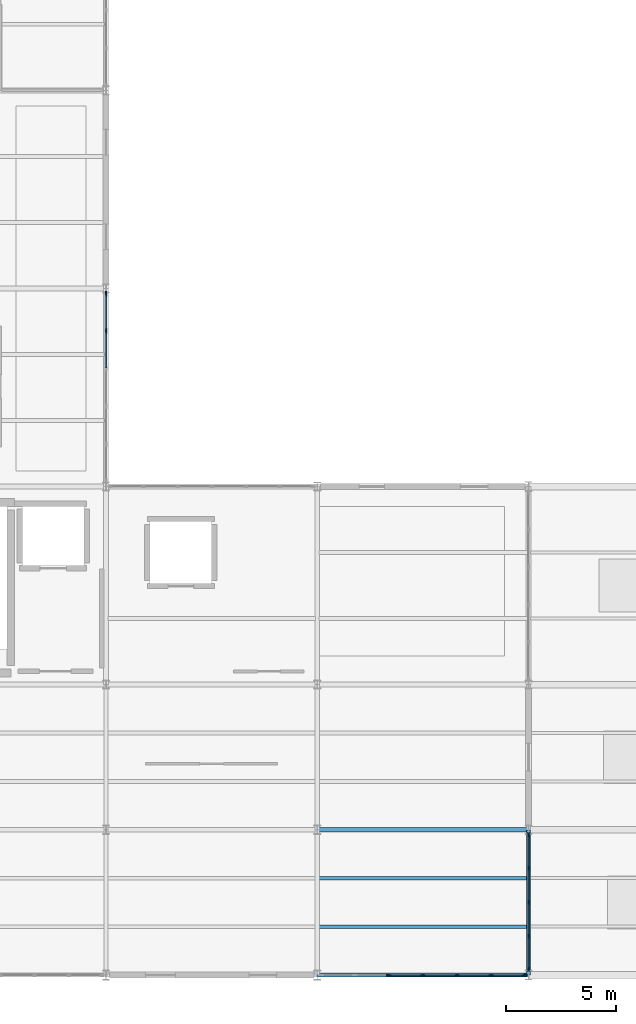
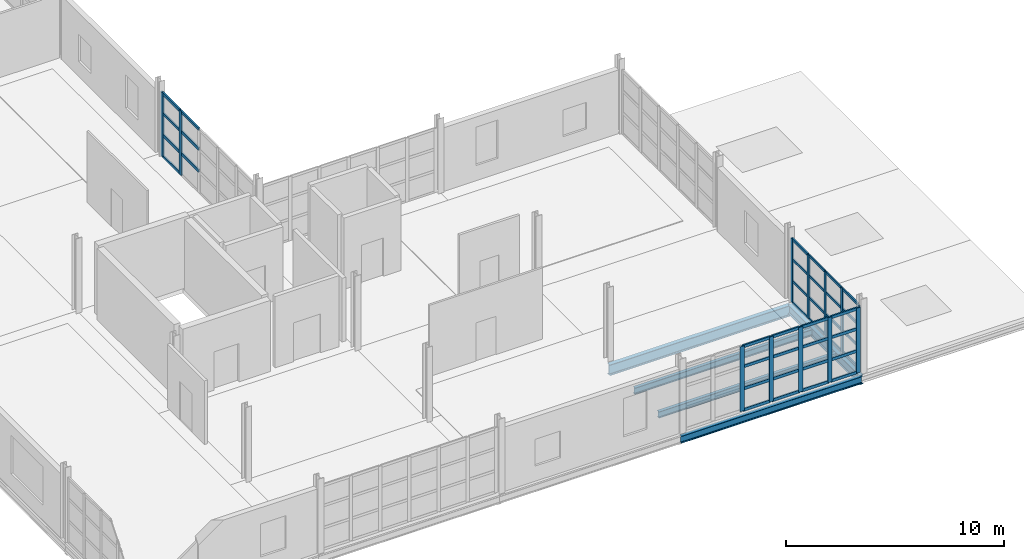
# One storey, part 6 of 15: 51 members, 5 beams, 3 elements without a shape of their own.
"""IFC4 building model written with IfcOpenShell, lengths in metres."""

from ifc_helpers import new_model, si_unit, direction, frame, origin, origin_2d, place, context, subcontext, project, spatial, rectangle, i_section, extrude, material, layer, layer_set, material_profile, profile_set, type_object, element, aggregate, save


model = new_model("IFC4")

# Units and contexts
model_context = context("Model", 3, precision=1e-05, world=origin(), true_north=direction((0.0, 1.0)))
body_context = subcontext(model_context, "Body", "Model", "MODEL_VIEW")
ifc_project = project(units=[si_unit("LENGTHUNIT", "METRE"), si_unit("AREAUNIT", "SQUARE_METRE"), si_unit("VOLUMEUNIT", "CUBIC_METRE"), si_unit("PLANEANGLEUNIT", "RADIAN"), si_unit("MASSUNIT", "GRAM", prefix="KILO")], contexts=[model_context])

# Site, building, storey
site_placement = place(None, origin())
site = spatial("IfcSite", under=ifc_project, at=site_placement, CompositionType="ELEMENT")
building_placement = place(site_placement, origin())
building = spatial("IfcBuilding", under=site, at=building_placement, Name="Zarnetskaya Central Station", CompositionType="ELEMENT")
storey_placement = place(building_placement, frame((0.0, 0.0, 22.800048828125)))
storey = spatial("IfcBuildingStorey", under=building, at=storey_placement, Name="L05", CompositionType="ELEMENT", Elevation=22.800048828125)

# Beams
ifc_material_1 = material(Name="Steel S355", Category="steel")
ifc_material_profile_1 = material_profile(ifc_material_1, i_section(OverallWidth=0.169921875, OverallDepth=0.360107421875, WebThickness=0.008056640625, FlangeThickness=0.0126953125, FilletRadius=0.01806640625, at=origin_2d()), Name="IPE 360")
ifc_profile_set_1 = profile_set([ifc_material_profile_1], Name="Steel S355")
beam_type_1 = type_object("IfcBeamType", Name="BM-SEC-360", PredefinedType="BEAM", material=ifc_profile_set_1)
for number, where, z_axis, x_axis, name in (
    (1, (28.8798828125, 2.199951171875, -0.420166015625), (1.0, 0.0, 0.0), (0.0, 1.0, 0.0), "Secondary floor beam SEC-L05-Z2256-DE-12-1"),
    (2, (28.8798828125, 4.39990234375, -0.420166015625), (1.0, 0.0, 0.0), (0.0, 1.0, 0.0), "Secondary floor beam SEC-L05-Z2256-DE-12-2"),
):
    element("IfcBeam", number, at=place(storey_placement, frame(where, z_axis=z_axis, x_axis=x_axis)), inside=storey, type_object=beam_type_1, Name=name, PredefinedType="BEAM", context=body_context, shape_type="SweptSolid", body=[
        extrude(i_section(OverallWidth=0.169921875, OverallDepth=0.360107421875, WebThickness=0.008056640625, FlangeThickness=0.0126953125, FilletRadius=0.01806640625, at=origin_2d()), origin(), (0.0, 0.0, 1.0), 9.440185546875),
    ])
ifc_material_profile_2 = material_profile(ifc_material_1, i_section(OverallWidth=0.179931640625, OverallDepth=0.39990234375, WebThickness=0.008544921875, FlangeThickness=0.013427734375, FilletRadius=0.02099609375, at=origin_2d()), Name="IPE 400")
ifc_profile_set_2 = profile_set([ifc_material_profile_2], Name="Steel S355")
beam_type_2 = type_object("IfcBeamType", Name="BM-SPN-V5", PredefinedType="SPANDREL", material=ifc_profile_set_2)
beam_1_placement = place(storey_placement, frame((28.800048828125, 0.0, -0.43994140625), z_axis=(1.0, 0.0, 0.0), x_axis=(0.0, 1.0, 0.0)))
element("IfcBeam", 3, at=beam_1_placement, inside=storey, type_object=beam_type_2, Name="Grid girder GX-L05-1-DE", PredefinedType="SPANDREL", context=body_context, shape_type="SweptSolid", body=[
    extrude(i_section(OverallWidth=0.179931640625, OverallDepth=0.39990234375, WebThickness=0.008544921875, FlangeThickness=0.013427734375, FilletRadius=0.02099609375, at=origin_2d()), origin(), (0.0, 0.0, 1.0), 9.599853515625),
])

# Curtain wall, members
ifc_material_2 = material(Name="Low-E insulated glass", Category="glass")
ifc_layer_1 = layer(ifc_material_2, 0.172119140625, Name="Low-E insulated glass", Category="glass")
ifc_layer_set_1 = layer_set([ifc_layer_1], Name="Low-E insulated glass")
curtain_wall_type_1 = type_object("IfcCurtainWallType", Name="CW-SYS-09", PredefinedType="USERDEFINED", material=ifc_layer_set_1)
curtain_wall_1_placement = place(storey_placement, origin())
curtain_wall_1 = element("IfcCurtainWall", 4, at=curtain_wall_1_placement, inside=storey, type_object=curtain_wall_type_1, Name="Curtain wall CW-L05-071", ObjectType="CURTAIN WALL", PredefinedType="USERDEFINED")
ifc_material_3 = material(Name="Anodised aluminium", Category="aluminium")
ifc_material_profile_3 = material_profile(ifc_material_3, rectangle(XDim=0.070068359375, YDim=0.179931640625, at=origin_2d()), Name="ALU MULL 70x180")
ifc_profile_set_3 = profile_set([ifc_material_profile_3], Name="Anodised aluminium")
member_type_1 = type_object("IfcMemberType", Name="CW-MULL-180", PredefinedType="MULLION", material=ifc_profile_set_3)
member_1_placement = place(storey_placement, frame((38.39990234375, 6.364990234375, 0.0), z_axis=(0.0, 0.0, 1.0), x_axis=(1.0, 0.0, 0.0)))
member_1 = element("IfcMember", 5, at=member_1_placement, type_object=member_type_1, Name="CW-07 mullion 1", PredefinedType="MULLION", context=body_context, shape_type="SweptSolid", body=[
    extrude(rectangle(XDim=0.070068359375, YDim=0.179931640625, at=origin_2d()), origin(), (0.0, 0.0, 1.0), 3.599853515625),
])
member_2_placement = place(storey_placement, frame((38.39990234375, 4.856201171875, 0.0), z_axis=(0.0, 0.0, 1.0), x_axis=(1.0, 0.0, 0.0)))
member_2 = element("IfcMember", 6, at=member_2_placement, type_object=member_type_1, Name="CW-07 mullion 2", PredefinedType="MULLION", context=body_context, shape_type="SweptSolid", body=[
    extrude(rectangle(XDim=0.070068359375, YDim=0.179931640625, at=origin_2d()), origin(), (0.0, 0.0, 1.0), 3.599853515625),
])
member_3_placement = place(storey_placement, frame((38.39990234375, 3.3125, 0.0), z_axis=(0.0, 0.0, 1.0), x_axis=(1.0, 0.0, 0.0)))
member_3 = element("IfcMember", 7, at=member_3_placement, type_object=member_type_1, Name="CW-07 mullion 3", PredefinedType="MULLION", context=body_context, shape_type="SweptSolid", body=[
    extrude(rectangle(XDim=0.070068359375, YDim=0.179931640625, at=origin_2d()), origin(), (0.0, 0.0, 1.0), 3.599853515625),
])
member_4_placement = place(storey_placement, frame((38.39990234375, 1.768798828125, 0.0), z_axis=(0.0, 0.0, 1.0), x_axis=(1.0, 0.0, 0.0)))
member_4 = element("IfcMember", 8, at=member_4_placement, type_object=member_type_1, Name="CW-07 mullion 4", PredefinedType="MULLION", context=body_context, shape_type="SweptSolid", body=[
    extrude(rectangle(XDim=0.070068359375, YDim=0.179931640625, at=origin_2d()), origin(), (0.0, 0.0, 1.0), 3.599853515625),
])
member_5_placement = place(storey_placement, frame((38.39990234375, 0.260009765625, 0.0), z_axis=(0.0, 0.0, 1.0), x_axis=(1.0, 0.0, 0.0)))
member_5 = element("IfcMember", 9, at=member_5_placement, type_object=member_type_1, Name="CW-07 mullion 5", PredefinedType="MULLION", context=body_context, shape_type="SweptSolid", body=[
    extrude(rectangle(XDim=0.070068359375, YDim=0.179931640625, at=origin_2d()), origin(), (0.0, 0.0, 1.0), 3.599853515625),
])

curtain_wall_2_placement = place(storey_placement, origin())
curtain_wall_2 = element("IfcCurtainWall", 10, at=curtain_wall_2_placement, inside=storey, type_object=curtain_wall_type_1, Name="Curtain wall CW-L05-068", ObjectType="CURTAIN WALL", PredefinedType="USERDEFINED")
ifc_material_profile_4 = material_profile(ifc_material_3, rectangle(XDim=0.080078125, YDim=0.219970703125, at=origin_2d()), Name="ALU MULL 80x220")
ifc_profile_set_4 = profile_set([ifc_material_profile_4], Name="Anodised aluminium")
member_type_2 = type_object("IfcMemberType", Name="CW-MULL-220", PredefinedType="MULLION", material=ifc_profile_set_4)
member_6_placement = place(storey_placement, frame((19.199951171875, 30.9599609375, 0.0), z_axis=(0.0, 0.0, 1.0), x_axis=(1.0, 0.0, 0.0)))
member_6 = element("IfcMember", 11, at=member_6_placement, type_object=member_type_2, Name="CW-07 mullion 1", PredefinedType="MULLION", context=body_context, shape_type="SweptSolid", body=[
    extrude(rectangle(XDim=0.080078125, YDim=0.219970703125, at=origin_2d()), origin(), (0.0, 0.0, 1.0), 3.599853515625),
])
member_7_placement = place(storey_placement, frame((19.199951171875, 29.280029296875, 0.0), z_axis=(0.0, 0.0, 1.0), x_axis=(1.0, 0.0, 0.0)))
member_7 = element("IfcMember", 12, at=member_7_placement, type_object=member_type_2, Name="CW-07 mullion 2", PredefinedType="MULLION", context=body_context, shape_type="SweptSolid", body=[
    extrude(rectangle(XDim=0.080078125, YDim=0.219970703125, at=origin_2d()), origin(), (0.0, 0.0, 1.0), 3.599853515625),
])

ifc_layer_2 = layer(ifc_material_2, 0.1640625, Name="Low-E insulated glass", Category="glass")
ifc_layer_set_2 = layer_set([ifc_layer_2], Name="Low-E insulated glass")
curtain_wall_type_2 = type_object("IfcCurtainWallType", Name="CW-SYS-07", PredefinedType="USERDEFINED", material=ifc_layer_set_2)
curtain_wall_3_placement = place(storey_placement, origin())
curtain_wall_3 = element("IfcCurtainWall", 13, at=curtain_wall_3_placement, inside=storey, type_object=curtain_wall_type_2, Name="Curtain wall CW-L05-072", ObjectType="CURTAIN WALL", PredefinedType="USERDEFINED")
member_8_placement = place(storey_placement, frame((38.2099609375, 0.0, 0.0), z_axis=(0.0, 0.0, 1.0), x_axis=(0.0, -1.0, 0.0)))
member_8 = element("IfcMember", 14, at=member_8_placement, type_object=member_type_2, Name="CW-06 mullion 1", PredefinedType="MULLION", context=body_context, shape_type="SweptSolid", body=[
    extrude(rectangle(XDim=0.080078125, YDim=0.219970703125, at=origin_2d()), origin(), (0.0, 0.0, 1.0), 3.639892578125),
])
member_9_placement = place(storey_placement, frame((36.699951171875, 0.0, 0.0), z_axis=(0.0, 0.0, 1.0), x_axis=(0.0, -1.0, 0.0)))
member_9 = element("IfcMember", 15, at=member_9_placement, type_object=member_type_2, Name="CW-06 mullion 2", PredefinedType="MULLION", context=body_context, shape_type="SweptSolid", body=[
    extrude(rectangle(XDim=0.080078125, YDim=0.219970703125, at=origin_2d()), origin(), (0.0, 0.0, 1.0), 3.639892578125),
])
member_10_placement = place(storey_placement, frame((35.14990234375, 0.0, 0.0), z_axis=(0.0, 0.0, 1.0), x_axis=(0.0, -1.0, 0.0)))
member_10 = element("IfcMember", 16, at=member_10_placement, type_object=member_type_2, Name="CW-06 mullion 3", PredefinedType="MULLION", context=body_context, shape_type="SweptSolid", body=[
    extrude(rectangle(XDim=0.080078125, YDim=0.219970703125, at=origin_2d()), origin(), (0.0, 0.0, 1.0), 3.639892578125),
])
member_11_placement = place(storey_placement, frame((33.60009765625, 0.0, 0.0), z_axis=(0.0, 0.0, 1.0), x_axis=(0.0, -1.0, 0.0)))
member_11 = element("IfcMember", 17, at=member_11_placement, type_object=member_type_2, Name="CW-06 mullion 4", PredefinedType="MULLION", context=body_context, shape_type="SweptSolid", body=[
    extrude(rectangle(XDim=0.080078125, YDim=0.219970703125, at=origin_2d()), origin(), (0.0, 0.0, 1.0), 3.639892578125),
])
member_12_placement = place(storey_placement, frame((32.050048828125, 0.0, 0.0), z_axis=(0.0, 0.0, 1.0), x_axis=(0.0, -1.0, 0.0)))
member_12 = element("IfcMember", 18, at=member_12_placement, type_object=member_type_2, Name="CW-06 mullion 5", PredefinedType="MULLION", context=body_context, shape_type="SweptSolid", body=[
    extrude(rectangle(XDim=0.080078125, YDim=0.219970703125, at=origin_2d()), origin(), (0.0, 0.0, 1.0), 3.639892578125),
])

# Member
ifc_material_profile_5 = material_profile(ifc_material_3, rectangle(XDim=0.070068359375, YDim=0.139892578125, at=origin_2d()), Name="ALU TRAN 70x140")
ifc_profile_set_5 = profile_set([ifc_material_profile_5], Name="Anodised aluminium")
member_type_3 = type_object("IfcMemberType", Name="CW-TRAN-140", PredefinedType="USERDEFINED", material=ifc_profile_set_5)
member_13_placement = place(storey_placement, frame((38.39990234375, 6.330078125, 0.034912109375), z_axis=(0.0, -1.0, 0.0), x_axis=(1.0, 0.0, 0.0)))
member_13 = element("IfcMember", 19, at=member_13_placement, type_object=member_type_3, Name="CW-07 transom 1.1", ObjectType="TRANSOM", PredefinedType="USERDEFINED", context=body_context, shape_type="SweptSolid", body=[
    extrude(rectangle(XDim=0.070068359375, YDim=0.139892578125, at=origin_2d()), origin(), (0.0, 0.0, 1.0), 1.438720703125),
])

member_14_placement = place(storey_placement, frame((38.39990234375, 6.330078125, 1.223876953125), z_axis=(0.0, -1.0, 0.0), x_axis=(1.0, 0.0, 0.0)))
member_14 = element("IfcMember", 20, at=member_14_placement, type_object=member_type_3, Name="CW-07 transom 1.2", ObjectType="TRANSOM", PredefinedType="USERDEFINED", context=body_context, shape_type="SweptSolid", body=[
    extrude(rectangle(XDim=0.070068359375, YDim=0.139892578125, at=origin_2d()), origin(), (0.0, 0.0, 1.0), 1.438720703125),
])

member_15_placement = place(storey_placement, frame((38.39990234375, 6.330078125, 2.447998046875), z_axis=(0.0, -1.0, 0.0), x_axis=(1.0, 0.0, 0.0)))
member_15 = element("IfcMember", 21, at=member_15_placement, type_object=member_type_3, Name="CW-07 transom 1.3", ObjectType="TRANSOM", PredefinedType="USERDEFINED", context=body_context, shape_type="SweptSolid", body=[
    extrude(rectangle(XDim=0.070068359375, YDim=0.139892578125, at=origin_2d()), origin(), (0.0, 0.0, 1.0), 1.438720703125),
])

member_16_placement = place(storey_placement, frame((38.39990234375, 6.330078125, 3.56494140625), z_axis=(0.0, -1.0, 0.0), x_axis=(1.0, 0.0, 0.0)))
member_16 = element("IfcMember", 22, at=member_16_placement, type_object=member_type_3, Name="CW-07 transom 1.4", ObjectType="TRANSOM", PredefinedType="USERDEFINED", context=body_context, shape_type="SweptSolid", body=[
    extrude(rectangle(XDim=0.070068359375, YDim=0.139892578125, at=origin_2d()), origin(), (0.0, 0.0, 1.0), 1.438720703125),
])

member_17_placement = place(storey_placement, frame((38.39990234375, 4.8212890625, 0.034912109375), z_axis=(0.0, -1.0, 0.0), x_axis=(1.0, 0.0, 0.0)))
member_17 = element("IfcMember", 23, at=member_17_placement, type_object=member_type_3, Name="CW-07 transom 2.1", ObjectType="TRANSOM", PredefinedType="USERDEFINED", context=body_context, shape_type="SweptSolid", body=[
    extrude(rectangle(XDim=0.070068359375, YDim=0.139892578125, at=origin_2d()), origin(), (0.0, 0.0, 1.0), 1.473876953125),
])

member_18_placement = place(storey_placement, frame((38.39990234375, 4.8212890625, 1.223876953125), z_axis=(0.0, -1.0, 0.0), x_axis=(1.0, 0.0, 0.0)))
member_18 = element("IfcMember", 24, at=member_18_placement, type_object=member_type_3, Name="CW-07 transom 2.2", ObjectType="TRANSOM", PredefinedType="USERDEFINED", context=body_context, shape_type="SweptSolid", body=[
    extrude(rectangle(XDim=0.070068359375, YDim=0.139892578125, at=origin_2d()), origin(), (0.0, 0.0, 1.0), 1.473876953125),
])

member_19_placement = place(storey_placement, frame((38.39990234375, 4.8212890625, 2.447998046875), z_axis=(0.0, -1.0, 0.0), x_axis=(1.0, 0.0, 0.0)))
member_19 = element("IfcMember", 25, at=member_19_placement, type_object=member_type_3, Name="CW-07 transom 2.3", ObjectType="TRANSOM", PredefinedType="USERDEFINED", context=body_context, shape_type="SweptSolid", body=[
    extrude(rectangle(XDim=0.070068359375, YDim=0.139892578125, at=origin_2d()), origin(), (0.0, 0.0, 1.0), 1.473876953125),
])

member_20_placement = place(storey_placement, frame((38.39990234375, 4.8212890625, 3.56494140625), z_axis=(0.0, -1.0, 0.0), x_axis=(1.0, 0.0, 0.0)))
member_20 = element("IfcMember", 26, at=member_20_placement, type_object=member_type_3, Name="CW-07 transom 2.4", ObjectType="TRANSOM", PredefinedType="USERDEFINED", context=body_context, shape_type="SweptSolid", body=[
    extrude(rectangle(XDim=0.070068359375, YDim=0.139892578125, at=origin_2d()), origin(), (0.0, 0.0, 1.0), 1.473876953125),
])

member_21_placement = place(storey_placement, frame((38.39990234375, 3.277587890625, 0.034912109375), z_axis=(0.0, -1.0, 0.0), x_axis=(1.0, 0.0, 0.0)))
member_21 = element("IfcMember", 27, at=member_21_placement, type_object=member_type_3, Name="CW-07 transom 3.1", ObjectType="TRANSOM", PredefinedType="USERDEFINED", context=body_context, shape_type="SweptSolid", body=[
    extrude(rectangle(XDim=0.070068359375, YDim=0.139892578125, at=origin_2d()), origin(), (0.0, 0.0, 1.0), 1.473876953125),
])

member_22_placement = place(storey_placement, frame((38.39990234375, 3.277587890625, 1.223876953125), z_axis=(0.0, -1.0, 0.0), x_axis=(1.0, 0.0, 0.0)))
member_22 = element("IfcMember", 28, at=member_22_placement, type_object=member_type_3, Name="CW-07 transom 3.2", ObjectType="TRANSOM", PredefinedType="USERDEFINED", context=body_context, shape_type="SweptSolid", body=[
    extrude(rectangle(XDim=0.070068359375, YDim=0.139892578125, at=origin_2d()), origin(), (0.0, 0.0, 1.0), 1.473876953125),
])

member_23_placement = place(storey_placement, frame((38.39990234375, 3.277587890625, 2.447998046875), z_axis=(0.0, -1.0, 0.0), x_axis=(1.0, 0.0, 0.0)))
member_23 = element("IfcMember", 29, at=member_23_placement, type_object=member_type_3, Name="CW-07 transom 3.3", ObjectType="TRANSOM", PredefinedType="USERDEFINED", context=body_context, shape_type="SweptSolid", body=[
    extrude(rectangle(XDim=0.070068359375, YDim=0.139892578125, at=origin_2d()), origin(), (0.0, 0.0, 1.0), 1.473876953125),
])

member_24_placement = place(storey_placement, frame((38.39990234375, 3.277587890625, 3.56494140625), z_axis=(0.0, -1.0, 0.0), x_axis=(1.0, 0.0, 0.0)))
member_24 = element("IfcMember", 30, at=member_24_placement, type_object=member_type_3, Name="CW-07 transom 3.4", ObjectType="TRANSOM", PredefinedType="USERDEFINED", context=body_context, shape_type="SweptSolid", body=[
    extrude(rectangle(XDim=0.070068359375, YDim=0.139892578125, at=origin_2d()), origin(), (0.0, 0.0, 1.0), 1.473876953125),
])

member_25_placement = place(storey_placement, frame((38.39990234375, 1.733642578125, 0.034912109375), z_axis=(0.0, -1.0, 0.0), x_axis=(1.0, 0.0, 0.0)))
member_25 = element("IfcMember", 31, at=member_25_placement, type_object=member_type_3, Name="CW-07 transom 4.1", ObjectType="TRANSOM", PredefinedType="USERDEFINED", context=body_context, shape_type="SweptSolid", body=[
    extrude(rectangle(XDim=0.070068359375, YDim=0.139892578125, at=origin_2d()), origin(), (0.0, 0.0, 1.0), 1.438720703125),
])

member_26_placement = place(storey_placement, frame((38.39990234375, 1.733642578125, 1.223876953125), z_axis=(0.0, -1.0, 0.0), x_axis=(1.0, 0.0, 0.0)))
member_26 = element("IfcMember", 32, at=member_26_placement, type_object=member_type_3, Name="CW-07 transom 4.2", ObjectType="TRANSOM", PredefinedType="USERDEFINED", context=body_context, shape_type="SweptSolid", body=[
    extrude(rectangle(XDim=0.070068359375, YDim=0.139892578125, at=origin_2d()), origin(), (0.0, 0.0, 1.0), 1.438720703125),
])

member_27_placement = place(storey_placement, frame((38.39990234375, 1.733642578125, 2.447998046875), z_axis=(0.0, -1.0, 0.0), x_axis=(1.0, 0.0, 0.0)))
member_27 = element("IfcMember", 33, at=member_27_placement, type_object=member_type_3, Name="CW-07 transom 4.3", ObjectType="TRANSOM", PredefinedType="USERDEFINED", context=body_context, shape_type="SweptSolid", body=[
    extrude(rectangle(XDim=0.070068359375, YDim=0.139892578125, at=origin_2d()), origin(), (0.0, 0.0, 1.0), 1.438720703125),
])

member_28_placement = place(storey_placement, frame((38.39990234375, 1.733642578125, 3.56494140625), z_axis=(0.0, -1.0, 0.0), x_axis=(1.0, 0.0, 0.0)))
member_28 = element("IfcMember", 34, at=member_28_placement, type_object=member_type_3, Name="CW-07 transom 4.4", ObjectType="TRANSOM", PredefinedType="USERDEFINED", context=body_context, shape_type="SweptSolid", body=[
    extrude(rectangle(XDim=0.070068359375, YDim=0.139892578125, at=origin_2d()), origin(), (0.0, 0.0, 1.0), 1.438720703125),
])

aggregate(curtain_wall_1, [member_1, member_2, member_3, member_4, member_5, member_13, member_14, member_15, member_16, member_17, member_18, member_19, member_20, member_21, member_22, member_23, member_24, member_25, member_26, member_27, member_28])

ifc_material_profile_6 = material_profile(ifc_material_3, rectangle(XDim=0.080078125, YDim=0.159912109375, at=origin_2d()), Name="ALU TRAN 80x160")
ifc_profile_set_6 = profile_set([ifc_material_profile_6], Name="Anodised aluminium")
member_type_4 = type_object("IfcMemberType", Name="CW-TRAN-160", PredefinedType="USERDEFINED", material=ifc_profile_set_6)
member_29_placement = place(storey_placement, frame((19.199951171875, 30.919921875, 0.0400390625), z_axis=(0.0, -1.0, 0.0), x_axis=(1.0, 0.0, 0.0)))
member_29 = element("IfcMember", 35, at=member_29_placement, type_object=member_type_4, Name="CW-07 transom 1.1", ObjectType="TRANSOM", PredefinedType="USERDEFINED", context=body_context, shape_type="SweptSolid", body=[
    extrude(rectangle(XDim=0.080078125, YDim=0.159912109375, at=origin_2d()), origin(), (0.0, 0.0, 1.0), 1.599853515625),
])

member_30_placement = place(storey_placement, frame((19.199951171875, 30.919921875, 1.223876953125), z_axis=(0.0, -1.0, 0.0), x_axis=(1.0, 0.0, 0.0)))
member_30 = element("IfcMember", 36, at=member_30_placement, type_object=member_type_4, Name="CW-07 transom 1.2", ObjectType="TRANSOM", PredefinedType="USERDEFINED", context=body_context, shape_type="SweptSolid", body=[
    extrude(rectangle(XDim=0.080078125, YDim=0.159912109375, at=origin_2d()), origin(), (0.0, 0.0, 1.0), 1.599853515625),
])

member_31_placement = place(storey_placement, frame((19.199951171875, 30.919921875, 2.447998046875), z_axis=(0.0, -1.0, 0.0), x_axis=(1.0, 0.0, 0.0)))
member_31 = element("IfcMember", 37, at=member_31_placement, type_object=member_type_4, Name="CW-07 transom 1.3", ObjectType="TRANSOM", PredefinedType="USERDEFINED", context=body_context, shape_type="SweptSolid", body=[
    extrude(rectangle(XDim=0.080078125, YDim=0.159912109375, at=origin_2d()), origin(), (0.0, 0.0, 1.0), 1.599853515625),
])

member_32_placement = place(storey_placement, frame((19.199951171875, 30.919921875, 3.56005859375), z_axis=(0.0, -1.0, 0.0), x_axis=(1.0, 0.0, 0.0)))
member_32 = element("IfcMember", 38, at=member_32_placement, type_object=member_type_4, Name="CW-07 transom 1.4", ObjectType="TRANSOM", PredefinedType="USERDEFINED", context=body_context, shape_type="SweptSolid", body=[
    extrude(rectangle(XDim=0.080078125, YDim=0.159912109375, at=origin_2d()), origin(), (0.0, 0.0, 1.0), 1.599853515625),
])

member_33_placement = place(storey_placement, frame((19.199951171875, 29.239990234375, 1.223876953125), z_axis=(0.0, -1.0, 0.0), x_axis=(1.0, 0.0, 0.0)))
member_33 = element("IfcMember", 39, at=member_33_placement, type_object=member_type_4, Name="CW-07 transom 2.2", ObjectType="TRANSOM", PredefinedType="USERDEFINED", context=body_context, shape_type="SweptSolid", body=[
    extrude(rectangle(XDim=0.080078125, YDim=0.159912109375, at=origin_2d()), origin(), (0.0, 0.0, 1.0), 1.639892578125),
])

member_34_placement = place(storey_placement, frame((19.199951171875, 29.239990234375, 2.447998046875), z_axis=(0.0, -1.0, 0.0), x_axis=(1.0, 0.0, 0.0)))
member_34 = element("IfcMember", 40, at=member_34_placement, type_object=member_type_4, Name="CW-07 transom 2.3", ObjectType="TRANSOM", PredefinedType="USERDEFINED", context=body_context, shape_type="SweptSolid", body=[
    extrude(rectangle(XDim=0.080078125, YDim=0.159912109375, at=origin_2d()), origin(), (0.0, 0.0, 1.0), 1.639892578125),
])

member_35_placement = place(storey_placement, frame((19.199951171875, 29.239990234375, 3.56005859375), z_axis=(0.0, -1.0, 0.0), x_axis=(1.0, 0.0, 0.0)))
member_35 = element("IfcMember", 41, at=member_35_placement, type_object=member_type_4, Name="CW-07 transom 2.4", ObjectType="TRANSOM", PredefinedType="USERDEFINED", context=body_context, shape_type="SweptSolid", body=[
    extrude(rectangle(XDim=0.080078125, YDim=0.159912109375, at=origin_2d()), origin(), (0.0, 0.0, 1.0), 1.639892578125),
])

aggregate(curtain_wall_2, [member_6, member_7, member_29, member_30, member_31, member_32, member_33, member_34, member_35])

member_36_placement = place(storey_placement, frame((38.169921875, 0.0, 0.0400390625), z_axis=(-1.0, 0.0, 0.0), x_axis=(0.0, -1.0, 0.0)))
member_36 = element("IfcMember", 42, at=member_36_placement, type_object=member_type_4, Name="CW-06 transom 1.1", ObjectType="TRANSOM", PredefinedType="USERDEFINED", context=body_context, shape_type="SweptSolid", body=[
    extrude(rectangle(XDim=0.080078125, YDim=0.159912109375, at=origin_2d()), origin(), (0.0, 0.0, 1.0), 1.429931640625),
])

member_37_placement = place(storey_placement, frame((38.169921875, 0.0, 1.238037109375), z_axis=(-1.0, 0.0, 0.0), x_axis=(0.0, -1.0, 0.0)))
member_37 = element("IfcMember", 43, at=member_37_placement, type_object=member_type_4, Name="CW-06 transom 1.2", ObjectType="TRANSOM", PredefinedType="USERDEFINED", context=body_context, shape_type="SweptSolid", body=[
    extrude(rectangle(XDim=0.080078125, YDim=0.159912109375, at=origin_2d()), origin(), (0.0, 0.0, 1.0), 1.429931640625),
])

member_38_placement = place(storey_placement, frame((38.169921875, 0.0, 2.474853515625), z_axis=(-1.0, 0.0, 0.0), x_axis=(0.0, -1.0, 0.0)))
member_38 = element("IfcMember", 44, at=member_38_placement, type_object=member_type_4, Name="CW-06 transom 1.3", ObjectType="TRANSOM", PredefinedType="USERDEFINED", context=body_context, shape_type="SweptSolid", body=[
    extrude(rectangle(XDim=0.080078125, YDim=0.159912109375, at=origin_2d()), origin(), (0.0, 0.0, 1.0), 1.429931640625),
])

member_39_placement = place(storey_placement, frame((38.169921875, 0.0, 3.599853515625), z_axis=(-1.0, 0.0, 0.0), x_axis=(0.0, -1.0, 0.0)))
member_39 = element("IfcMember", 45, at=member_39_placement, type_object=member_type_4, Name="CW-06 transom 1.4", ObjectType="TRANSOM", PredefinedType="USERDEFINED", context=body_context, shape_type="SweptSolid", body=[
    extrude(rectangle(XDim=0.080078125, YDim=0.159912109375, at=origin_2d()), origin(), (0.0, 0.0, 1.0), 1.429931640625),
])

member_40_placement = place(storey_placement, frame((36.659912109375, 0.0, 0.0400390625), z_axis=(-1.0, 0.0, 0.0), x_axis=(0.0, -1.0, 0.0)))
member_40 = element("IfcMember", 46, at=member_40_placement, type_object=member_type_4, Name="CW-06 transom 2.1", ObjectType="TRANSOM", PredefinedType="USERDEFINED", context=body_context, shape_type="SweptSolid", body=[
    extrude(rectangle(XDim=0.080078125, YDim=0.159912109375, at=origin_2d()), origin(), (0.0, 0.0, 1.0), 1.469970703125),
])

member_41_placement = place(storey_placement, frame((36.659912109375, 0.0, 1.238037109375), z_axis=(-1.0, 0.0, 0.0), x_axis=(0.0, -1.0, 0.0)))
member_41 = element("IfcMember", 47, at=member_41_placement, type_object=member_type_4, Name="CW-06 transom 2.2", ObjectType="TRANSOM", PredefinedType="USERDEFINED", context=body_context, shape_type="SweptSolid", body=[
    extrude(rectangle(XDim=0.080078125, YDim=0.159912109375, at=origin_2d()), origin(), (0.0, 0.0, 1.0), 1.469970703125),
])

member_42_placement = place(storey_placement, frame((36.659912109375, 0.0, 2.474853515625), z_axis=(-1.0, 0.0, 0.0), x_axis=(0.0, -1.0, 0.0)))
member_42 = element("IfcMember", 48, at=member_42_placement, type_object=member_type_4, Name="CW-06 transom 2.3", ObjectType="TRANSOM", PredefinedType="USERDEFINED", context=body_context, shape_type="SweptSolid", body=[
    extrude(rectangle(XDim=0.080078125, YDim=0.159912109375, at=origin_2d()), origin(), (0.0, 0.0, 1.0), 1.469970703125),
])

member_43_placement = place(storey_placement, frame((36.659912109375, 0.0, 3.599853515625), z_axis=(-1.0, 0.0, 0.0), x_axis=(0.0, -1.0, 0.0)))
member_43 = element("IfcMember", 49, at=member_43_placement, type_object=member_type_4, Name="CW-06 transom 2.4", ObjectType="TRANSOM", PredefinedType="USERDEFINED", context=body_context, shape_type="SweptSolid", body=[
    extrude(rectangle(XDim=0.080078125, YDim=0.159912109375, at=origin_2d()), origin(), (0.0, 0.0, 1.0), 1.469970703125),
])

member_44_placement = place(storey_placement, frame((35.110107421875, 0.0, 0.0400390625), z_axis=(-1.0, 0.0, 0.0), x_axis=(0.0, -1.0, 0.0)))
member_44 = element("IfcMember", 50, at=member_44_placement, type_object=member_type_4, Name="CW-06 transom 3.1", ObjectType="TRANSOM", PredefinedType="USERDEFINED", context=body_context, shape_type="SweptSolid", body=[
    extrude(rectangle(XDim=0.080078125, YDim=0.159912109375, at=origin_2d()), origin(), (0.0, 0.0, 1.0), 1.47021484375),
])

member_45_placement = place(storey_placement, frame((35.110107421875, 0.0, 1.238037109375), z_axis=(-1.0, 0.0, 0.0), x_axis=(0.0, -1.0, 0.0)))
member_45 = element("IfcMember", 51, at=member_45_placement, type_object=member_type_4, Name="CW-06 transom 3.2", ObjectType="TRANSOM", PredefinedType="USERDEFINED", context=body_context, shape_type="SweptSolid", body=[
    extrude(rectangle(XDim=0.080078125, YDim=0.159912109375, at=origin_2d()), origin(), (0.0, 0.0, 1.0), 1.47021484375),
])

member_46_placement = place(storey_placement, frame((35.110107421875, 0.0, 2.474853515625), z_axis=(-1.0, 0.0, 0.0), x_axis=(0.0, -1.0, 0.0)))
member_46 = element("IfcMember", 52, at=member_46_placement, type_object=member_type_4, Name="CW-06 transom 3.3", ObjectType="TRANSOM", PredefinedType="USERDEFINED", context=body_context, shape_type="SweptSolid", body=[
    extrude(rectangle(XDim=0.080078125, YDim=0.159912109375, at=origin_2d()), origin(), (0.0, 0.0, 1.0), 1.47021484375),
])

member_47_placement = place(storey_placement, frame((35.110107421875, 0.0, 3.599853515625), z_axis=(-1.0, 0.0, 0.0), x_axis=(0.0, -1.0, 0.0)))
member_47 = element("IfcMember", 53, at=member_47_placement, type_object=member_type_4, Name="CW-06 transom 3.4", ObjectType="TRANSOM", PredefinedType="USERDEFINED", context=body_context, shape_type="SweptSolid", body=[
    extrude(rectangle(XDim=0.080078125, YDim=0.159912109375, at=origin_2d()), origin(), (0.0, 0.0, 1.0), 1.47021484375),
])

member_48_placement = place(storey_placement, frame((33.56005859375, 0.0, 0.0400390625), z_axis=(-1.0, 0.0, 0.0), x_axis=(0.0, -1.0, 0.0)))
member_48 = element("IfcMember", 54, at=member_48_placement, type_object=member_type_4, Name="CW-06 transom 4.1", ObjectType="TRANSOM", PredefinedType="USERDEFINED", context=body_context, shape_type="SweptSolid", body=[
    extrude(rectangle(XDim=0.080078125, YDim=0.159912109375, at=origin_2d()), origin(), (0.0, 0.0, 1.0), 1.469970703125),
])

member_49_placement = place(storey_placement, frame((33.56005859375, 0.0, 1.238037109375), z_axis=(-1.0, 0.0, 0.0), x_axis=(0.0, -1.0, 0.0)))
member_49 = element("IfcMember", 55, at=member_49_placement, type_object=member_type_4, Name="CW-06 transom 4.2", ObjectType="TRANSOM", PredefinedType="USERDEFINED", context=body_context, shape_type="SweptSolid", body=[
    extrude(rectangle(XDim=0.080078125, YDim=0.159912109375, at=origin_2d()), origin(), (0.0, 0.0, 1.0), 1.469970703125),
])

member_50_placement = place(storey_placement, frame((33.56005859375, 0.0, 2.474853515625), z_axis=(-1.0, 0.0, 0.0), x_axis=(0.0, -1.0, 0.0)))
member_50 = element("IfcMember", 56, at=member_50_placement, type_object=member_type_4, Name="CW-06 transom 4.3", ObjectType="TRANSOM", PredefinedType="USERDEFINED", context=body_context, shape_type="SweptSolid", body=[
    extrude(rectangle(XDim=0.080078125, YDim=0.159912109375, at=origin_2d()), origin(), (0.0, 0.0, 1.0), 1.469970703125),
])

member_51_placement = place(storey_placement, frame((33.56005859375, 0.0, 3.599853515625), z_axis=(-1.0, 0.0, 0.0), x_axis=(0.0, -1.0, 0.0)))
member_51 = element("IfcMember", 57, at=member_51_placement, type_object=member_type_4, Name="CW-06 transom 4.4", ObjectType="TRANSOM", PredefinedType="USERDEFINED", context=body_context, shape_type="SweptSolid", body=[
    extrude(rectangle(XDim=0.080078125, YDim=0.159912109375, at=origin_2d()), origin(), (0.0, 0.0, 1.0), 1.469970703125),
])

aggregate(curtain_wall_3, [member_8, member_9, member_10, member_11, member_12, member_36, member_37, member_38, member_39, member_40, member_41, member_42, member_43, member_44, member_45, member_46, member_47, member_48, member_49, member_50, member_51])

# Beams
ifc_material_profile_7 = material_profile(ifc_material_1, i_section(OverallWidth=0.199951171875, OverallDepth=0.5, WebThickness=0.01025390625, FlangeThickness=0.01611328125, FilletRadius=0.02099609375, at=origin_2d()), Name="IPE 500")
ifc_profile_set_7 = profile_set([ifc_material_profile_7], Name="Steel S355")
beam_type_3 = type_object("IfcBeamType", Name="GD-FLR-500", PredefinedType="USERDEFINED", material=ifc_profile_set_7)
beam_2_placement = place(storey_placement, frame((38.39990234375, 0.0, -0.489990234375), z_axis=(0.0, 1.0, 0.0), x_axis=(-1.0, 0.0, 0.0)))
element("IfcBeam", 58, at=beam_2_placement, inside=storey, type_object=beam_type_3, Name="Grid girder GY-L05-E-12", ObjectType="GIRDER", PredefinedType="USERDEFINED", context=body_context, shape_type="SweptSolid", body=[
    extrude(i_section(OverallWidth=0.199951171875, OverallDepth=0.5, WebThickness=0.01025390625, FlangeThickness=0.01611328125, FilletRadius=0.02099609375, at=origin_2d()), origin(), (0.0, 0.0, 1.0), 6.60009765625),
])
ifc_material_profile_8 = material_profile(ifc_material_1, i_section(OverallWidth=0.219970703125, OverallDepth=0.60009765625, WebThickness=0.011962890625, FlangeThickness=0.01904296875, FilletRadius=0.02392578125, at=origin_2d()), Name="IPE 600")
ifc_profile_set_8 = profile_set([ifc_material_profile_8], Name="Steel S355")
beam_type_4 = type_object("IfcBeamType", Name="GD-FLR-600", PredefinedType="USERDEFINED", material=ifc_profile_set_8)
beam_3_placement = place(storey_placement, frame((28.800048828125, 6.60009765625, -0.5400390625), z_axis=(1.0, 0.0, 0.0), x_axis=(0.0, 1.0, 0.0)))
element("IfcBeam", 59, at=beam_3_placement, inside=storey, type_object=beam_type_4, Name="Grid girder GX-L05-2-DE", ObjectType="GIRDER", PredefinedType="USERDEFINED", context=body_context, shape_type="SweptSolid", body=[
    extrude(i_section(OverallWidth=0.219970703125, OverallDepth=0.60009765625, WebThickness=0.011962890625, FlangeThickness=0.01904296875, FilletRadius=0.02392578125, at=origin_2d()), origin(), (0.0, 0.0, 1.0), 9.599853515625),
])

save(model, "model.ifc")
